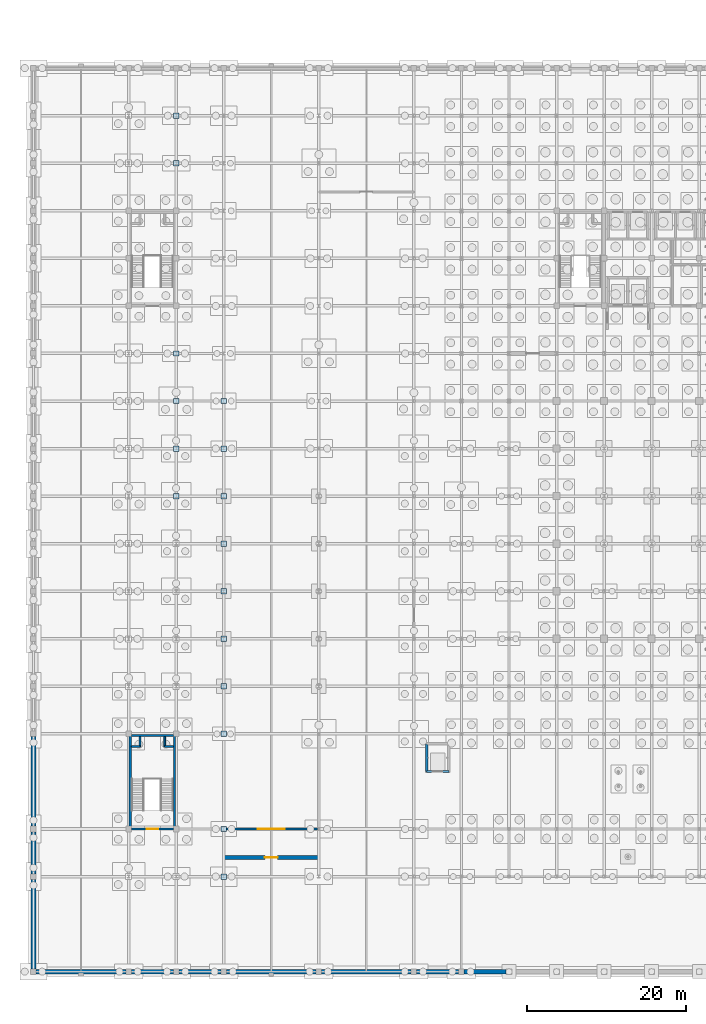
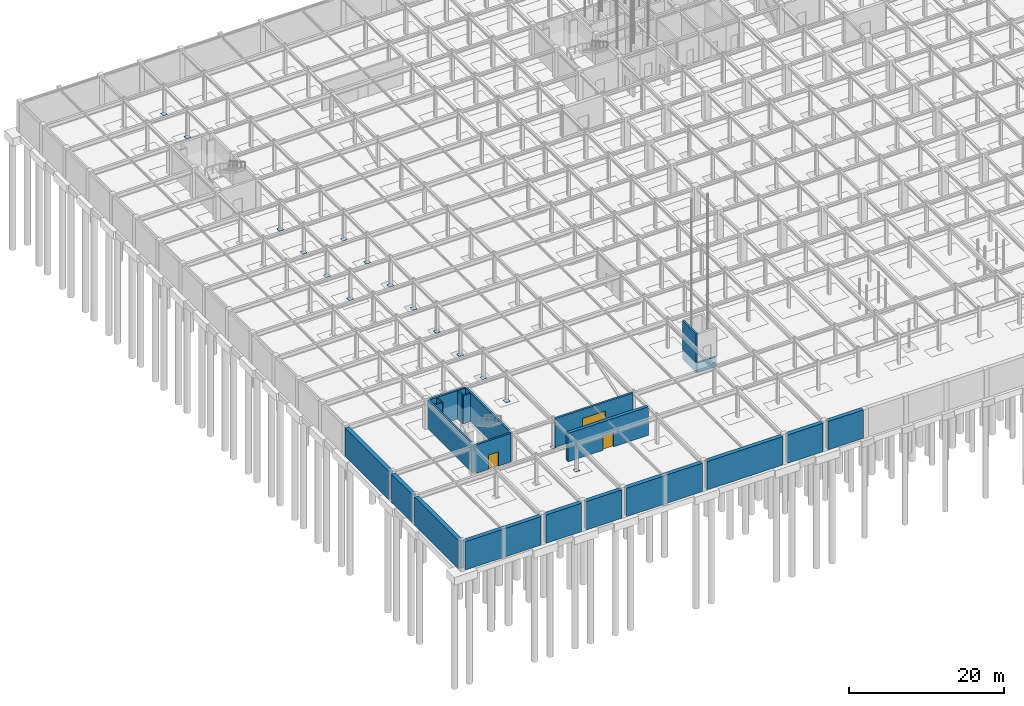
# One storey, part 43 of 69: 23 walls, 16 plates, 3 doors, 3 openings.
"""IFC4 building model written with IfcOpenShell, lengths in metres."""

import ifcopenshell
import ifcopenshell.guid

model = None  # the IFC model being written
_history = None  # IfcOwnerHistory: only IFC2X3 demands one
_inside = {}  # id of a spatial element -> (the spatial element, [elements in it])
_under = {}  # id of a project, library or spatial element -> (it, [spatial elements below it])
_declared = {}  # id of a project -> (the project, [libraries it declares])
_typed = {}  # id of a type object -> (the type object, [elements of that type])
_made_of = {}  # id of a material, layer set ... -> (it, [elements and type objects made of it])


def new_model(schema):
    """Start an empty IFC model of exactly this schema.

    Asked for "IFC4X3", IfcOpenShell would pick the latest addendum, in which some entities
    have other attributes; the version numbers below select the first issue.
    IFC2X3 requires an IfcOwnerHistory on every rooted entity: one is made here for all.
    """
    global model, _history
    if schema == "IFC4X3":
        model = ifcopenshell.file(schema_version=(4, 3, 0, 0))
    else:
        model = ifcopenshell.file(schema=schema)
    _inside.clear()
    _under.clear()
    _declared.clear()
    _typed.clear()
    _made_of.clear()
    _history = None
    if model.schema == "IFC2X3":
        org = make("IfcOrganization", Name="unknown")
        user = make(
            "IfcPersonAndOrganization",
            ThePerson=make("IfcPerson", FamilyName="unknown"),
            TheOrganization=org,
        )
        app = make(
            "IfcApplication",
            ApplicationDeveloper=org,
            Version="unknown",
            ApplicationFullName="unknown",
            ApplicationIdentifier="unknown",
        )
        _history = make(
            "IfcOwnerHistory",
            OwningUser=user,
            OwningApplication=app,
            ChangeAction="ADDED",
            CreationDate=0,
        )
    return model


def make(cls, **values):
    """One entity of the class cls with the attributes given. An attribute that is None is left unset."""
    return model.create_entity(
        cls, **{name: value for name, value in values.items() if value is not None}
    )


def rooted(cls, **values):
    """An entity with a GlobalId (a new one), such as an element, a storey or a relation."""
    return make(cls, GlobalId=ifcopenshell.guid.new(), OwnerHistory=_history, **values)


def si_unit(unit_type, name, prefix=None):
    """IfcSIUnit, for example si_unit("LENGTHUNIT", "METRE", prefix="MILLI")."""
    return make("IfcSIUnit", UnitType=unit_type, Prefix=prefix, Name=name)


def assignment(units):
    """IfcUnitAssignment: the units of a project."""
    return None if units is None else make("IfcUnitAssignment", Units=units)


def point(xyz):
    """IfcCartesianPoint."""
    return None if xyz is None else make("IfcCartesianPoint", Coordinates=xyz)


def direction(xyz):
    """IfcDirection."""
    return None if xyz is None else make("IfcDirection", DirectionRatios=xyz)


def frame(location, z_axis=None, x_axis=None):
    """IfcAxis2Placement3D, a coordinate frame: its origin and axes. An axis left out is left unset."""
    return make(
        "IfcAxis2Placement3D",
        Location=point(location),
        Axis=direction(z_axis),
        RefDirection=direction(x_axis),
    )


def frame_2d(location, x_axis=None):
    """IfcAxis2Placement2D, a coordinate frame in the plane: its origin and x axis."""
    return make(
        "IfcAxis2Placement2D", Location=point(location), RefDirection=direction(x_axis)
    )


def origin():
    """The frame at (0, 0, 0) with its axes left unset."""
    return frame((0.0, 0.0, 0.0))


def origin_2d():
    """The frame at (0, 0) in the plane with its x axis left unset."""
    return frame_2d((0.0, 0.0))


def place(relative_to, where):
    """IfcLocalPlacement: puts the frame where relative to a parent placement (None: the world)."""
    return make(
        "IfcLocalPlacement", PlacementRelTo=relative_to, RelativePlacement=where
    )


def context(
    kind, dimensions, precision=None, world=None, true_north=None, identifier=None
):
    """IfcGeometricRepresentationContext, for example the 3D "Model" context."""
    return make(
        "IfcGeometricRepresentationContext",
        ContextIdentifier=identifier,
        ContextType=kind,
        CoordinateSpaceDimension=dimensions,
        Precision=precision,
        WorldCoordinateSystem=world,
        TrueNorth=true_north,
    )


def subcontext(parent, identifier, kind, view, scale=None):
    """IfcGeometricRepresentationSubContext, for example "Body" below "Model"."""
    return make(
        "IfcGeometricRepresentationSubContext",
        ContextIdentifier=identifier,
        ContextType=kind,
        ParentContext=parent,
        TargetScale=scale,
        TargetView=view,
    )


def project(units=None, contexts=None):
    """IfcProject with its units and contexts."""
    return rooted(
        "IfcProject",
        Name="project",
        RepresentationContexts=contexts,
        UnitsInContext=assignment(units),
    )


def spatial(cls, under=None, at=None, **own):
    """A site, building, storey or space (cls), placed at a placement, below another one or the project."""
    s = rooted(cls, ObjectPlacement=at, **own)
    if under is not None:
        _under.setdefault(under.id(), (under, []))[1].append(s)
    return s


def profile(cls, at=None, kind="AREA", **sizes):
    """A parametric profile (cls). Its sizes go by their IFC names, for example OverallWidth=200.0."""
    return make(cls, ProfileType=kind, Position=at, **sizes)


def rectangle(**sizes):
    """IfcRectangleProfileDef."""
    return profile("IfcRectangleProfileDef", **sizes)


def extrude(swept, where, along, depth):
    """IfcExtrudedAreaSolid: the profile swept, set in the frame where, extruded along a direction by depth."""
    return make(
        "IfcExtrudedAreaSolid",
        SweptArea=swept,
        Position=where,
        ExtrudedDirection=direction(along),
        Depth=depth,
    )


def shape(context_of_items, identifier, shape_type, items):
    """IfcShapeRepresentation: the items that make up one representation, for example the "Body"."""
    return make(
        "IfcShapeRepresentation",
        ContextOfItems=context_of_items,
        RepresentationIdentifier=identifier,
        RepresentationType=shape_type,
        Items=items,
    )


def material(Name=None, Category=None):
    """IfcMaterial."""
    return make("IfcMaterial", Name=Name, Category=Category)


def layer(
    of_material, thickness, ventilated=None, Name=None, Category=None, Priority=None
):
    """IfcMaterialLayer: one layer of a wall or slab, of a material (None: an air gap)."""
    return make(
        "IfcMaterialLayer",
        Material=of_material,
        LayerThickness=thickness,
        IsVentilated=ventilated,
        Name=Name,
        Category=Category,
        Priority=Priority,
    )


def layer_set(layers, Name=None):
    """IfcMaterialLayerSet."""
    return make("IfcMaterialLayerSet", MaterialLayers=layers, LayerSetName=Name)


def made_of(thing, what):
    """Note that an element or type object is made of a material, layer set ...; save() writes the relation."""
    if what is not None:
        _made_of.setdefault(what.id(), (what, []))[1].append(thing)
    return thing


def type_object(cls, material=None, **own):
    """A type object (cls), such as IfcWallType, which elements share."""
    return made_of(rooted(cls, **own), material)


def element(
    cls,
    number,
    at=None,
    inside=None,
    cuts=None,
    type_object=None,
    material=None,
    context=None,
    identifier="Body",
    shape_type=None,
    held_by="IfcProductDefinitionShape",
    body=None,
    shapes=None,
    **own,
):
    """One element of the class cls, such as IfcWall. Its Tag is "e" and its number.

    at: its placement. inside: the storey or other place that contains it. cuts: it is an
    opening in that element (IfcRelVoidsElement). A single representation is given by context,
    identifier, shape_type and body (its items); several are given by shapes. held_by: the class
    of the entity that holds the representations. save() writes the other relations.
    """
    e = rooted(cls, Tag="e%d" % number, ObjectPlacement=at, **own)
    if body is not None:
        shapes = [shape(context, identifier, shape_type, body)]
    if shapes is not None:
        e.Representation = make(held_by, Representations=shapes)
    if inside is not None:
        _inside.setdefault(inside.id(), (inside, []))[1].append(e)
    if cuts is not None:
        rooted(
            "IfcRelVoidsElement", RelatingBuildingElement=cuts, RelatedOpeningElement=e
        )
    if type_object is not None:
        _typed.setdefault(type_object.id(), (type_object, []))[1].append(e)
    return made_of(e, material)


def fill(opening, filler):
    """IfcRelFillsElement: the door or window that sits in an opening."""
    return rooted(
        "IfcRelFillsElement",
        RelatingOpeningElement=opening,
        RelatedBuildingElement=filler,
    )


def aggregate(whole, parts):
    """IfcRelAggregates: a whole, such as a stair, and the parts it consists of."""
    return rooted("IfcRelAggregates", RelatingObject=whole, RelatedObjects=parts)


def save(model, path):
    """Write the relations noted so far, then the file.

    IfcRelAggregates (storeys below a building ...), IfcRelContainedInSpatialStructure (elements
    in a storey), IfcRelDefinesByType, IfcRelAssociatesMaterial and IfcRelDeclares: one each for
    every whole, place, type object, material and project.
    """
    for whole, parts in _under.values():
        aggregate(whole, parts)
    for where, things in _inside.values():
        rooted(
            "IfcRelContainedInSpatialStructure",
            RelatedElements=things,
            RelatingStructure=where,
        )
    for kind, things in _typed.values():
        rooted("IfcRelDefinesByType", RelatedObjects=things, RelatingType=kind)
    for what, things in _made_of.values():
        rooted("IfcRelAssociatesMaterial", RelatedObjects=things, RelatingMaterial=what)
    for by, libraries in _declared.values():
        rooted("IfcRelDeclares", RelatingContext=by, RelatedDefinitions=libraries)
    model.write(path)


model = new_model("IFC4")

# Units and contexts
model_context = context("Model", 3, precision=1e-05, world=origin(), true_north=direction((0.0, 1.0)))
body_context = subcontext(model_context, "Body", "Model", "MODEL_VIEW")
ifc_project = project(units=[si_unit("LENGTHUNIT", "METRE"), si_unit("AREAUNIT", "SQUARE_METRE"), si_unit("VOLUMEUNIT", "CUBIC_METRE"), si_unit("PLANEANGLEUNIT", "RADIAN"), si_unit("MASSUNIT", "GRAM", prefix="KILO")], contexts=[model_context])

# Site, building, storey
site_placement = place(None, origin())
site = spatial("IfcSite", under=ifc_project, at=site_placement, CompositionType="ELEMENT")
building_placement = place(site_placement, origin())
building = spatial("IfcBuilding", under=site, at=building_placement, Name="Zlatovratsky Civic Hall", CompositionType="ELEMENT")
storey_placement = place(building_placement, frame((0.0, 0.0, -4.800048828125)))
storey = spatial("IfcBuildingStorey", under=building, at=storey_placement, Name="B1", CompositionType="ELEMENT", Elevation=-4.800048828125)

# Plates
ifc_material_1 = material(Name="Steel S355", Category="steel")
ifc_layer_1 = layer(ifc_material_1, 0.031982421875)
ifc_layer_set_1 = layer_set([ifc_layer_1], Name="Steel S355")
plate_type = type_object("IfcPlateType", Name="Plate_ColumnBase_32", PredefinedType="SHEET", material=ifc_layer_set_1)
for number, where, z_axis, x_axis, name in (
    (1, (18.0, 60.0, 0.0), (0.0, 0.0, 1.0), (1.0, 0.0, 0.0), "BP-017"),
    (2, (18.0, 66.0, 0.0), (0.0, 0.0, 1.0), (1.0, 0.0, 0.0), "BP-018"),
    (3, (18.0, 72.0, 0.0), (0.0, 0.0, 1.0), (1.0, 0.0, 0.0), "BP-019"),
    (4, (18.0, 78.0, 0.0), (0.0, 0.0, 1.0), (1.0, 0.0, 0.0), "BP-020"),
    (5, (18.0, 102.0, 0.0), (0.0, 0.0, 1.0), (1.0, 0.0, 0.0), "BP-021"),
    (6, (18.0, 108.0, 0.0), (0.0, 0.0, 1.0), (1.0, 0.0, 0.0), "BP-022"),
    (7, (24.0, 12.0, 0.0), (0.0, 0.0, 1.0), (1.0, 0.0, 0.0), "BP-023"),
    (8, (24.0, 18.0, 0.0), (0.0, 0.0, 1.0), (1.0, 0.0, 0.0), "BP-024"),
    (9, (24.0, 30.0, 0.0), (0.0, 0.0, 1.0), (1.0, 0.0, 0.0), "BP-025"),
    (10, (24.0, 36.0, 0.0), (0.0, 0.0, 1.0), (1.0, 0.0, 0.0), "BP-026"),
    (11, (24.0, 42.0, 0.0), (0.0, 0.0, 1.0), (1.0, 0.0, 0.0), "BP-027"),
    (12, (24.0, 48.0, 0.0), (0.0, 0.0, 1.0), (1.0, 0.0, 0.0), "BP-028"),
    (13, (24.0, 54.0, 0.0), (0.0, 0.0, 1.0), (1.0, 0.0, 0.0), "BP-029"),
    (14, (24.0, 60.0, 0.0), (0.0, 0.0, 1.0), (1.0, 0.0, 0.0), "BP-030"),
    (15, (24.0, 66.0, 0.0), (0.0, 0.0, 1.0), (1.0, 0.0, 0.0), "BP-031"),
    (16, (24.0, 72.0, 0.0), (0.0, 0.0, 1.0), (1.0, 0.0, 0.0), "BP-032"),
):
    element("IfcPlate", number, at=place(storey_placement, frame(where, z_axis=z_axis, x_axis=x_axis)), inside=storey, type_object=plate_type, Name=name, PredefinedType="SHEET", context=body_context, shape_type="SweptSolid", body=[
        extrude(rectangle(XDim=0.679931640625, YDim=0.679931640625, at=origin_2d()), origin(), (0.0, 0.0, 1.0), 0.031982421875),
    ])

# Wall, opening, door
ifc_material_2 = material(Name="Concrete C35/45 (B40)", Category="concrete")
ifc_layer_2 = layer(ifc_material_2, 0.47998046875)
ifc_layer_set_2 = layer_set([ifc_layer_2], Name="Concrete C35/45 (B40)")
wall_type_1 = type_object("IfcWallType", Name="Wall_LowerCoreShear_480", PredefinedType="SHEAR", material=ifc_layer_set_2)
wall_1_placement = place(storey_placement, frame((24.0, 14.39990234375, 0.0), z_axis=(0.0, 0.0, 1.0), x_axis=(1.0, 0.0, 0.0)))
wall_1 = element("IfcWall", 17, at=wall_1_placement, inside=storey, type_object=wall_type_1, Name="WL-6042", PredefinedType="SHEAR", context=body_context, shape_type="SweptSolid", body=[
    extrude(rectangle(XDim=12.0, YDim=0.47998046875, at=frame_2d((6.0, 0.0))), origin(), (0.0, 0.0, 1.0), 4.47998046875),
])
opening_1_placement = place(wall_1_placement, frame((5.199951171875, 0.0, 0.0)))
opening_1 = element("IfcOpeningElement", 18, at=opening_1_placement, cuts=wall_1, Name="Opening D-29", PredefinedType="OPENING", context=body_context, shape_type="SweptSolid", body=[
    extrude(rectangle(XDim=1.60009765625, YDim=2.25, at=frame_2d((0.800048828125, 1.125))), frame((0.0, 0.2548828125, 0.0), z_axis=(0.0, -1.0, 0.0), x_axis=(1.0, 0.0, 0.0)), (0.0, 0.0, 1.0), 0.509765625),
])
ifc_material_3 = material(Name="Insulated painted fire-rated steel leaf", Category="steel")
door_type_1 = type_object("IfcDoorType", Name="Door_PlantRoomDouble_1600x2250", OperationType="DOUBLE_DOOR_SINGLE_SWING", PredefinedType="DOOR", material=ifc_material_3)
door_1_placement = place(opening_1_placement, origin())
door_1 = element("IfcDoor", 19, at=door_1_placement, inside=storey, type_object=door_type_1, Name="DR-5211", OperationType="DOUBLE_DOOR_SINGLE_SWING", OverallHeight=2.25, OverallWidth=1.60009765625, PredefinedType="DOOR", context=body_context, shape_type="SweptSolid", body=[
    extrude(rectangle(XDim=1.60009765625, YDim=2.25, at=frame_2d((0.800048828125, 1.125))), frame((0.0, 0.02490234375, 0.0), z_axis=(0.0, -1.0, 0.0), x_axis=(1.0, 0.0, 0.0)), (0.0, 0.0, 1.0), 0.050048828125),
])
fill(opening_1, door_1)

# Walls
ifc_material_4 = material(Name="Acoustic ceramic blockwork", Category="masonry")
ifc_layer_3 = layer(ifc_material_4, 0.219970703125)
ifc_layer_set_3 = layer_set([ifc_layer_3], Name="Acoustic ceramic blockwork")
wall_type_2 = type_object("IfcWallType", Name="Wall_SanitaryWetCore_220", PredefinedType="PARTITIONING", material=ifc_layer_set_3)
wall_2_placement = place(storey_placement, frame((13.449951171875, 28.39990234375, 0.0), z_axis=(0.0, 0.0, 1.0), x_axis=(0.0, 1.0, 0.0)))
element("IfcWall", 20, at=wall_2_placement, inside=storey, type_object=wall_type_2, Name="WL-5313", PredefinedType="PARTITIONING", context=body_context, shape_type="SweptSolid", body=[
    extrude(rectangle(XDim=1.25, YDim=0.219970703125, at=frame_2d((0.625, 0.0))), origin(), (0.0, 0.0, 1.0), 4.47998046875),
])
wall_3_placement = place(storey_placement, frame((12.35009765625, 28.39990234375, 0.0), z_axis=(0.0, 0.0, 1.0), x_axis=(1.0, 0.0, 0.0)))
element("IfcWall", 21, at=wall_3_placement, inside=storey, type_object=wall_type_2, Name="WL-5314", PredefinedType="PARTITIONING", context=body_context, shape_type="SweptSolid", body=[
    extrude(rectangle(XDim=1.099853515625, YDim=0.219970703125, at=frame_2d((0.5498046875, 0.0))), origin(), (0.0, 0.0, 1.0), 4.47998046875),
])
wall_4_placement = place(storey_placement, frame((16.550048828125, 28.39990234375, 0.0), z_axis=(0.0, 0.0, 1.0), x_axis=(0.0, 1.0, 0.0)))
element("IfcWall", 22, at=wall_4_placement, inside=storey, type_object=wall_type_2, Name="WL-5315", PredefinedType="PARTITIONING", context=body_context, shape_type="SweptSolid", body=[
    extrude(rectangle(XDim=1.25, YDim=0.219970703125, at=frame_2d((0.625, 0.0))), origin(), (0.0, 0.0, 1.0), 4.47998046875),
])
wall_5_placement = place(storey_placement, frame((16.550048828125, 28.39990234375, 0.0), z_axis=(0.0, 0.0, 1.0), x_axis=(1.0, 0.0, 0.0)))
element("IfcWall", 23, at=wall_5_placement, inside=storey, type_object=wall_type_2, Name="WL-5316", PredefinedType="PARTITIONING", context=body_context, shape_type="SweptSolid", body=[
    extrude(rectangle(XDim=1.099853515625, YDim=0.219970703125, at=frame_2d((0.5498046875, 0.0))), origin(), (0.0, 0.0, 1.0), 4.47998046875),
])

# Wall, opening, door
ifc_layer_4 = layer(ifc_material_2, 0.300048828125)
ifc_layer_set_4 = layer_set([ifc_layer_4], Name="Concrete C35/45 (B40)")
wall_type_3 = type_object("IfcWallType", Name="Wall_StairAndLiftShaft_300", PredefinedType="SHEAR", material=ifc_layer_set_4)
wall_6_placement = place(storey_placement, frame((24.175048828125, 18.0, 0.0), z_axis=(0.0, 0.0, 1.0), x_axis=(1.0, 0.0, 0.0)))
wall_6 = element("IfcWall", 24, at=wall_6_placement, inside=storey, type_object=wall_type_3, Name="WL-0079", PredefinedType="SHEAR", context=body_context, shape_type="SweptSolid", body=[
    extrude(rectangle(XDim=11.64990234375, YDim=0.300048828125, at=frame_2d((5.824951171875, 0.0))), origin(), (0.0, 0.0, 1.0), 4.47998046875),
])
opening_2_placement = place(wall_6_placement, frame((4.125, 0.0, 0.0)))
opening_2 = element("IfcOpeningElement", 25, at=opening_2_placement, cuts=wall_6, Name="Opening G-02", PredefinedType="OPENING", context=body_context, shape_type="SweptSolid", body=[
    extrude(rectangle(XDim=3.39990234375, YDim=3.10009765625, at=frame_2d((1.699951171875, 1.550048828125))), frame((0.0, 0.1650390625, 0.0), z_axis=(0.0, -1.0, 0.0), x_axis=(1.0, 0.0, 0.0)), (0.0, 0.0, 1.0), 0.329833984375),
])
ifc_material_5 = material(Name="Galvanised insulated roller shutter")
door_type_2 = type_object("IfcDoorType", Name="Gate_BasementRampShutter_3400x3100", OperationType="ROLLINGUP", PredefinedType="GATE", material=ifc_material_5)
door_2_placement = place(opening_2_placement, origin())
door_2 = element("IfcDoor", 26, at=door_2_placement, inside=storey, type_object=door_type_2, Name="DR-0001", OperationType="ROLLINGUP", OverallHeight=3.10009765625, OverallWidth=3.39990234375, PredefinedType="GATE", context=body_context, shape_type="SweptSolid", body=[
    extrude(rectangle(XDim=3.39990234375, YDim=3.10009765625, at=frame_2d((1.699951171875, 1.550048828125))), frame((0.0, 0.02490234375, 0.0), z_axis=(0.0, -1.0, 0.0), x_axis=(1.0, 0.0, 0.0)), (0.0, 0.0, 1.0), 0.050048828125),
])
fill(opening_2, door_2)

wall_7_placement = place(storey_placement, frame((12.35009765625, 18.0, 0.0), z_axis=(0.0, 0.0, 1.0), x_axis=(1.0, 0.0, 0.0)))
wall_7 = element("IfcWall", 27, at=wall_7_placement, inside=storey, type_object=wall_type_3, Name="WL-5309", PredefinedType="SHEAR", context=body_context, shape_type="SweptSolid", body=[
    extrude(rectangle(XDim=5.2998046875, YDim=0.300048828125, at=frame_2d((2.64990234375, 0.0))), origin(), (0.0, 0.0, 1.0), 4.47998046875),
])
opening_3_placement = place(wall_7_placement, frame((1.925048828125, 0.0, 0.0)))
opening_3 = element("IfcOpeningElement", 28, at=opening_3_placement, cuts=wall_7, Name="Opening D-16", PredefinedType="OPENING", context=body_context, shape_type="SweptSolid", body=[
    extrude(rectangle(XDim=1.449951171875, YDim=2.25, at=frame_2d((0.72509765625, 1.125))), frame((0.0, 0.1650390625, 0.0), z_axis=(0.0, -1.0, 0.0), x_axis=(1.0, 0.0, 0.0)), (0.0, 0.0, 1.0), 0.329833984375),
])
door_type_3 = type_object("IfcDoorType", Name="Door_StairwellFirePodium_1450x2250", OperationType="NOTDEFINED", PredefinedType="DOOR", material=ifc_material_3)
door_3_placement = place(opening_3_placement, origin())
door_3 = element("IfcDoor", 29, at=door_3_placement, inside=storey, type_object=door_type_3, Name="DR-5039", OperationType="SINGLE_SWING_LEFT", OverallHeight=2.25, OverallWidth=1.449951171875, PredefinedType="DOOR", context=body_context, shape_type="SweptSolid", body=[
    extrude(rectangle(XDim=1.449951171875, YDim=2.25, at=frame_2d((0.72509765625, 1.125))), frame((0.0, 0.02490234375, 0.0), z_axis=(0.0, -1.0, 0.0), x_axis=(1.0, 0.0, 0.0)), (0.0, 0.0, 1.0), 0.050048828125),
])
fill(opening_3, door_3)

# Walls
wall_8_placement = place(storey_placement, frame((12.35009765625, 29.800048828125, 0.0), z_axis=(0.0, 0.0, 1.0), x_axis=(1.0, 0.0, 0.0)))
element("IfcWall", 30, at=wall_8_placement, inside=storey, type_object=wall_type_3, Name="WL-5310", PredefinedType="SHEAR", context=body_context, shape_type="SweptSolid", body=[
    extrude(rectangle(XDim=5.2998046875, YDim=0.300048828125, at=frame_2d((2.64990234375, 0.0))), origin(), (0.0, 0.0, 1.0), 4.47998046875),
])
for number, where, z_axis, x_axis, name in (
    (31, (12.199951171875, 18.0, 0.0), (0.0, 0.0, 1.0), (0.0, 1.0, 0.0), "WL-5311"),
    (32, (17.800048828125, 18.0, 0.0), (0.0, 0.0, 1.0), (0.0, 1.0, 0.0), "WL-5312"),
):
    element("IfcWall", number, at=place(storey_placement, frame(where, z_axis=z_axis, x_axis=x_axis)), inside=storey, type_object=wall_type_3, Name=name, PredefinedType="SHEAR", context=body_context, shape_type="SweptSolid", body=[
        extrude(rectangle(XDim=11.800048828125, YDim=0.300048828125, at=frame_2d((5.89990234375, 0.0))), origin(), (0.0, 0.0, 1.0), 4.47998046875),
    ])
wall_9_placement = place(storey_placement, frame((49.60009765625, 25.25, -1.599853515625), z_axis=(0.0, 0.0, 1.0), x_axis=(1.0, 0.0, 0.0)))
element("IfcWall", 33, at=wall_9_placement, inside=storey, type_object=wall_type_3, Name="WL-5485", PredefinedType="SHEAR", context=body_context, shape_type="SweptSolid", body=[
    extrude(rectangle(XDim=2.7998046875, YDim=0.300048828125, at=frame_2d((1.39990234375, 0.0))), origin(), (0.0, 0.0, 1.0), 1.599853515625),
])
wall_10_placement = place(storey_placement, frame((49.60009765625, 25.25, -1.599853515625), z_axis=(0.0, 0.0, 1.0), x_axis=(0.0, 1.0, 0.0)))
element("IfcWall", 34, at=wall_10_placement, inside=storey, type_object=wall_type_3, Name="WL-5487", PredefinedType="SHEAR", context=body_context, shape_type="SweptSolid", body=[
    extrude(rectangle(XDim=3.5, YDim=0.300048828125, at=frame_2d((1.75, 0.0))), origin(), (0.0, 0.0, 1.0), 1.599853515625),
])
wall_11_placement = place(storey_placement, frame((49.60009765625, 25.25, 0.0), z_axis=(0.0, 0.0, 1.0), x_axis=(0.0, 1.0, 0.0)))
element("IfcWall", 35, at=wall_11_placement, inside=storey, type_object=wall_type_3, Name="WL-5971", PredefinedType="SHEAR", context=body_context, shape_type="SweptSolid", body=[
    extrude(rectangle(XDim=3.5, YDim=0.300048828125, at=frame_2d((1.75, 0.0))), origin(), (0.0, 0.0, 1.0), 4.47998046875),
])
ifc_layer_5 = layer(ifc_material_2, 0.60009765625)
ifc_layer_set_5 = layer_set([ifc_layer_5], Name="Concrete C35/45 (B40)")
wall_type_4 = type_object("IfcWallType", Name="Wall_SubstructureRetaining_600", PredefinedType="SHEAR", material=ifc_layer_set_5)
wall_12_placement = place(storey_placement, frame((0.35009765625, 0.0, 0.0), z_axis=(0.0, 0.0, 1.0), x_axis=(1.0, 0.0, 0.0)))
element("IfcWall", 36, at=wall_12_placement, inside=storey, type_object=wall_type_4, Name="WL-0001", PredefinedType="SHEAR", context=body_context, shape_type="SweptSolid", body=[
    extrude(rectangle(XDim=11.2998046875, YDim=0.60009765625, at=frame_2d((5.64990234375, 0.0))), origin(), (0.0, 0.0, 1.0), 4.47998046875),
])
for number, where, z_axis, x_axis, name in (
    (37, (12.35009765625, 0.0, 0.0), (0.0, 0.0, 1.0), (1.0, 0.0, 0.0), "WL-0002"),
    (38, (18.35009765625, 0.0, 0.0), (0.0, 0.0, 1.0), (1.0, 0.0, 0.0), "WL-0003"),
):
    element("IfcWall", number, at=place(storey_placement, frame(where, z_axis=z_axis, x_axis=x_axis)), inside=storey, type_object=wall_type_4, Name=name, PredefinedType="SHEAR", context=body_context, shape_type="SweptSolid", body=[
        extrude(rectangle(XDim=5.2998046875, YDim=0.60009765625, at=frame_2d((2.64990234375, 0.0))), origin(), (0.0, 0.0, 1.0), 4.47998046875),
    ])
for number, where, z_axis, x_axis, name in (
    (39, (24.35009765625, 0.0, 0.0), (0.0, 0.0, 1.0), (1.0, 0.0, 0.0), "WL-0004"),
    (40, (36.35009765625, 0.0, 0.0), (0.0, 0.0, 1.0), (1.0, 0.0, 0.0), "WL-0005"),
):
    element("IfcWall", number, at=place(storey_placement, frame(where, z_axis=z_axis, x_axis=x_axis)), inside=storey, type_object=wall_type_4, Name=name, PredefinedType="SHEAR", context=body_context, shape_type="SweptSolid", body=[
        extrude(rectangle(XDim=11.2998046875, YDim=0.60009765625, at=frame_2d((5.64990234375, 0.0))), origin(), (0.0, 0.0, 1.0), 4.47998046875),
    ])
for number, where, z_axis, x_axis, name in (
    (41, (48.35009765625, 0.0, 0.0), (0.0, 0.0, 1.0), (1.0, 0.0, 0.0), "WL-0006"),
    (42, (54.35009765625, 0.0, 0.0), (0.0, 0.0, 1.0), (1.0, 0.0, 0.0), "WL-0007"),
):
    element("IfcWall", number, at=place(storey_placement, frame(where, z_axis=z_axis, x_axis=x_axis)), inside=storey, type_object=wall_type_4, Name=name, PredefinedType="SHEAR", context=body_context, shape_type="SweptSolid", body=[
        extrude(rectangle(XDim=5.2998046875, YDim=0.60009765625, at=frame_2d((2.64990234375, 0.0))), origin(), (0.0, 0.0, 1.0), 4.47998046875),
    ])
wall_13_placement = place(storey_placement, frame((0.0, 0.35009765625, 0.0), z_axis=(0.0, 0.0, 1.0), x_axis=(0.0, 1.0, 0.0)))
element("IfcWall", 43, at=wall_13_placement, inside=storey, type_object=wall_type_4, Name="WL-0045", PredefinedType="SHEAR", context=body_context, shape_type="SweptSolid", body=[
    extrude(rectangle(XDim=11.2998046875, YDim=0.60009765625, at=frame_2d((5.64990234375, 0.0))), origin(), (0.0, 0.0, 1.0), 4.47998046875),
])
wall_14_placement = place(storey_placement, frame((0.0, 12.35009765625, 0.0), z_axis=(0.0, 0.0, 1.0), x_axis=(0.0, 1.0, 0.0)))
element("IfcWall", 44, at=wall_14_placement, inside=storey, type_object=wall_type_4, Name="WL-0046", PredefinedType="SHEAR", context=body_context, shape_type="SweptSolid", body=[
    extrude(rectangle(XDim=5.2998046875, YDim=0.60009765625, at=frame_2d((2.64990234375, 0.0))), origin(), (0.0, 0.0, 1.0), 4.47998046875),
])
wall_15_placement = place(storey_placement, frame((0.0, 18.35009765625, 0.0), z_axis=(0.0, 0.0, 1.0), x_axis=(0.0, 1.0, 0.0)))
element("IfcWall", 45, at=wall_15_placement, inside=storey, type_object=wall_type_4, Name="WL-0047", PredefinedType="SHEAR", context=body_context, shape_type="SweptSolid", body=[
    extrude(rectangle(XDim=11.2998046875, YDim=0.60009765625, at=frame_2d((5.64990234375, 0.0))), origin(), (0.0, 0.0, 1.0), 4.47998046875),
])

save(model, "model.ifc")
